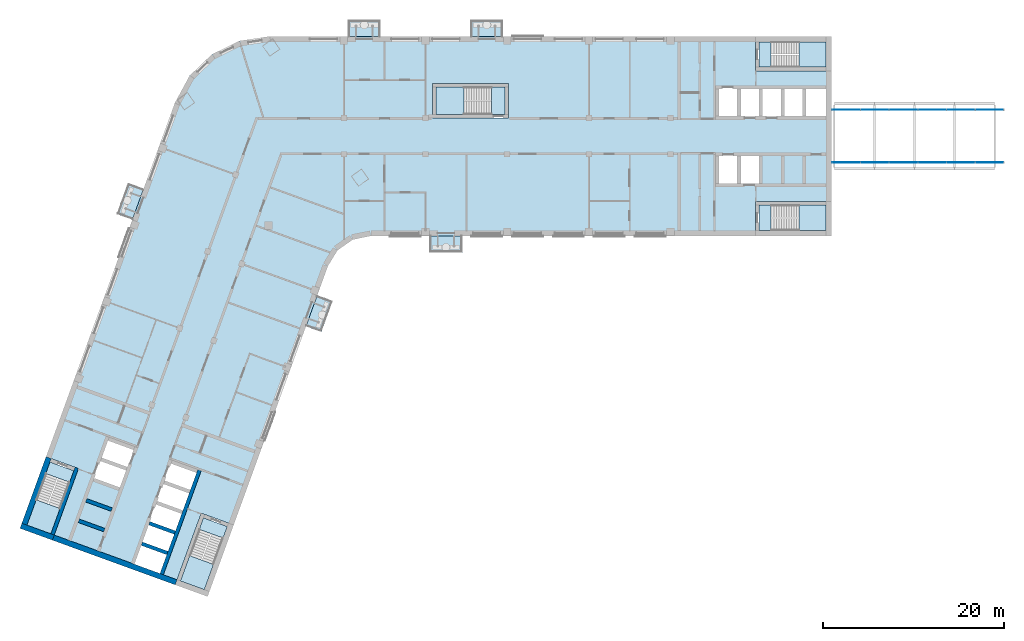
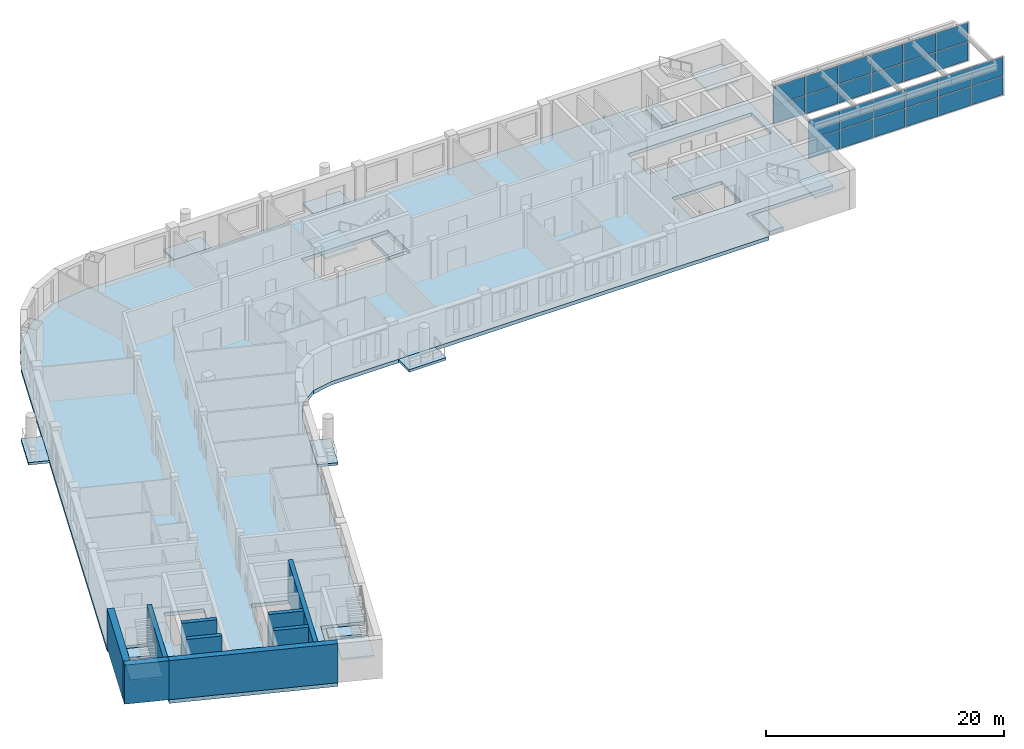
# One storey, part 3 of 12: 24 plates, 16 slabs, 9 walls, 7 elements without a shape of their own.
"""IFC4 building model written with IfcOpenShell, lengths in metres."""

from ifc_helpers import new_model, si_unit, direction, frame, frame_2d, origin, origin_2d, place, context, subcontext, project, spatial, polyline, rectangle, outline, extrude, material, layer, layer_set, type_object, element, aggregate, save


model = new_model("IFC4")

# Units and contexts
model_context = context("Model", 3, precision=1e-05, world=origin(), true_north=direction((0.0, 1.0)))
body_context = subcontext(model_context, "Body", "Model", "MODEL_VIEW")
ifc_project = project(units=[si_unit("LENGTHUNIT", "METRE"), si_unit("AREAUNIT", "SQUARE_METRE"), si_unit("VOLUMEUNIT", "CUBIC_METRE"), si_unit("PLANEANGLEUNIT", "RADIAN"), si_unit("MASSUNIT", "GRAM", prefix="KILO")], contexts=[model_context])

# Site, building, storey
site_placement = place(None, origin())
site = spatial("IfcSite", under=ifc_project, at=site_placement, CompositionType="ELEMENT")
building_placement = place(site_placement, origin())
building = spatial("IfcBuilding", under=site, at=building_placement, Name="Skarvind Civic Tower", CompositionType="ELEMENT")
storey_placement = place(building_placement, frame((0.0, 0.0, 117.0)))
storey = spatial("IfcBuildingStorey", under=building, at=storey_placement, Name="L27", CompositionType="ELEMENT", Elevation=117.0)

# Curtain wall, plates
ifc_material_1 = material(Name="Aluminium alloy 6063 and laminated glass", Category="aluminium")
curtain_wall_type = type_object("IfcCurtainWallType", Name="CW4 BRIDGE ENCLOSURE GLAZING", PredefinedType="NOTDEFINED", material=ifc_material_1)
curtain_wall_1_placement = place(storey_placement, origin())
curtain_wall_1 = element("IfcCurtainWall", 1, at=curtain_wall_1_placement, inside=storey, type_object=curtain_wall_type, Name="BRIDGE ENCLOSURE GLAZING", PredefinedType="NOTDEFINED")
ifc_material_2 = material(Name="Laminated low-iron glass", Category="glass")
ifc_layer_1 = layer(ifc_material_2, 0.028076171875)
ifc_layer_set_1 = layer_set([ifc_layer_1], Name="CW4 GLASS PANEL 28")
plate_type = type_object("IfcPlateType", Name="CW4 GLASS PANEL 28", PredefinedType="CURTAIN_PANEL", material=ifc_layer_set_1)
plate_1_placement = place(storey_placement, frame((125.401611328125, 125.090087890625, 0.06005859375), z_axis=(0.0, 0.0, 1.0), x_axis=(-1.0, 0.0, 0.0)))
plate_1 = element("IfcPlate", 2, at=plate_1_placement, type_object=plate_type, Name="CW4 panel 1.1", PredefinedType="CURTAIN_PANEL", context=body_context, shape_type="SweptSolid", body=[
    extrude(rectangle(XDim=3.07666015625, YDim=0.028076171875, at=origin_2d()), origin(), (0.0, 0.0, 1.0), 1.909912109375),
])
plate_2_placement = place(storey_placement, frame((125.401611328125, 125.090087890625, 2.0302734375), z_axis=(0.0, 0.0, 1.0), x_axis=(-1.0, 0.0, 0.0)))
plate_2 = element("IfcPlate", 3, at=plate_2_placement, type_object=plate_type, Name="CW4 panel 1.2", PredefinedType="CURTAIN_PANEL", context=body_context, shape_type="SweptSolid", body=[
    extrude(rectangle(XDim=3.07666015625, YDim=0.028076171875, at=origin_2d()), origin(), (0.0, 0.0, 1.0), 1.909912109375),
])
plate_3_placement = place(storey_placement, frame((122.25, 125.090087890625, 0.06005859375), z_axis=(0.0, 0.0, 1.0), x_axis=(-1.0, 0.0, 0.0)))
plate_3 = element("IfcPlate", 4, at=plate_3_placement, type_object=plate_type, Name="CW4 panel 2.1", PredefinedType="CURTAIN_PANEL", context=body_context, shape_type="SweptSolid", body=[
    extrude(rectangle(XDim=3.106689453125, YDim=0.028076171875, at=origin_2d()), origin(), (0.0, 0.0, 1.0), 1.909912109375),
])
plate_4_placement = place(storey_placement, frame((122.25, 125.090087890625, 2.0302734375), z_axis=(0.0, 0.0, 1.0), x_axis=(-1.0, 0.0, 0.0)))
plate_4 = element("IfcPlate", 5, at=plate_4_placement, type_object=plate_type, Name="CW4 panel 2.2", PredefinedType="CURTAIN_PANEL", context=body_context, shape_type="SweptSolid", body=[
    extrude(rectangle(XDim=3.106689453125, YDim=0.028076171875, at=origin_2d()), origin(), (0.0, 0.0, 1.0), 1.909912109375),
])
plate_5_placement = place(storey_placement, frame((119.083251953125, 125.090087890625, 0.06005859375), z_axis=(0.0, 0.0, 1.0), x_axis=(-1.0, 0.0, 0.0)))
plate_5 = element("IfcPlate", 6, at=plate_5_placement, type_object=plate_type, Name="CW4 panel 3.1", PredefinedType="CURTAIN_PANEL", context=body_context, shape_type="SweptSolid", body=[
    extrude(rectangle(XDim=3.106689453125, YDim=0.028076171875, at=origin_2d()), origin(), (0.0, 0.0, 1.0), 1.909912109375),
])
plate_6_placement = place(storey_placement, frame((119.083251953125, 125.090087890625, 2.0302734375), z_axis=(0.0, 0.0, 1.0), x_axis=(-1.0, 0.0, 0.0)))
plate_6 = element("IfcPlate", 7, at=plate_6_placement, type_object=plate_type, Name="CW4 panel 3.2", PredefinedType="CURTAIN_PANEL", context=body_context, shape_type="SweptSolid", body=[
    extrude(rectangle(XDim=3.106689453125, YDim=0.028076171875, at=origin_2d()), origin(), (0.0, 0.0, 1.0), 1.909912109375),
])
plate_7_placement = place(storey_placement, frame((115.916748046875, 125.090087890625, 0.06005859375), z_axis=(0.0, 0.0, 1.0), x_axis=(-1.0, 0.0, 0.0)))
plate_7 = element("IfcPlate", 8, at=plate_7_placement, type_object=plate_type, Name="CW4 panel 4.1", PredefinedType="CURTAIN_PANEL", context=body_context, shape_type="SweptSolid", body=[
    extrude(rectangle(XDim=3.106689453125, YDim=0.028076171875, at=origin_2d()), origin(), (0.0, 0.0, 1.0), 1.909912109375),
])
plate_8_placement = place(storey_placement, frame((115.916748046875, 125.090087890625, 2.0302734375), z_axis=(0.0, 0.0, 1.0), x_axis=(-1.0, 0.0, 0.0)))
plate_8 = element("IfcPlate", 9, at=plate_8_placement, type_object=plate_type, Name="CW4 panel 4.2", PredefinedType="CURTAIN_PANEL", context=body_context, shape_type="SweptSolid", body=[
    extrude(rectangle(XDim=3.106689453125, YDim=0.028076171875, at=origin_2d()), origin(), (0.0, 0.0, 1.0), 1.909912109375),
])
plate_9_placement = place(storey_placement, frame((112.75, 125.090087890625, 0.06005859375), z_axis=(0.0, 0.0, 1.0), x_axis=(-1.0, 0.0, 0.0)))
plate_9 = element("IfcPlate", 10, at=plate_9_placement, type_object=plate_type, Name="CW4 panel 5.1", PredefinedType="CURTAIN_PANEL", context=body_context, shape_type="SweptSolid", body=[
    extrude(rectangle(XDim=3.106689453125, YDim=0.028076171875, at=origin_2d()), origin(), (0.0, 0.0, 1.0), 1.909912109375),
])
plate_10_placement = place(storey_placement, frame((112.75, 125.090087890625, 2.0302734375), z_axis=(0.0, 0.0, 1.0), x_axis=(-1.0, 0.0, 0.0)))
plate_10 = element("IfcPlate", 11, at=plate_10_placement, type_object=plate_type, Name="CW4 panel 5.2", PredefinedType="CURTAIN_PANEL", context=body_context, shape_type="SweptSolid", body=[
    extrude(rectangle(XDim=3.106689453125, YDim=0.028076171875, at=origin_2d()), origin(), (0.0, 0.0, 1.0), 1.909912109375),
])
plate_11_placement = place(storey_placement, frame((109.598388671875, 125.090087890625, 0.06005859375), z_axis=(0.0, 0.0, 1.0), x_axis=(-1.0, 0.0, 0.0)))
plate_11 = element("IfcPlate", 12, at=plate_11_placement, type_object=plate_type, Name="CW4 panel 6.1", PredefinedType="CURTAIN_PANEL", context=body_context, shape_type="SweptSolid", body=[
    extrude(rectangle(XDim=3.07666015625, YDim=0.028076171875, at=origin_2d()), origin(), (0.0, 0.0, 1.0), 1.909912109375),
])
plate_12_placement = place(storey_placement, frame((109.598388671875, 125.090087890625, 2.0302734375), z_axis=(0.0, 0.0, 1.0), x_axis=(-1.0, 0.0, 0.0)))
plate_12 = element("IfcPlate", 13, at=plate_12_placement, type_object=plate_type, Name="CW4 panel 6.2", PredefinedType="CURTAIN_PANEL", context=body_context, shape_type="SweptSolid", body=[
    extrude(rectangle(XDim=3.07666015625, YDim=0.028076171875, at=origin_2d()), origin(), (0.0, 0.0, 1.0), 1.909912109375),
])
aggregate(curtain_wall_1, [plate_1, plate_2, plate_3, plate_4, plate_5, plate_6, plate_7, plate_8, plate_9, plate_10, plate_11, plate_12])

curtain_wall_2_placement = place(storey_placement, origin())
curtain_wall_2 = element("IfcCurtainWall", 14, at=curtain_wall_2_placement, inside=storey, type_object=curtain_wall_type, Name="BRIDGE ENCLOSURE GLAZING", PredefinedType="NOTDEFINED")
plate_13_placement = place(storey_placement, frame((109.598388671875, 130.909912109375, 0.06005859375), z_axis=(0.0, 0.0, 1.0), x_axis=(1.0, 0.0, 0.0)))
plate_13 = element("IfcPlate", 15, at=plate_13_placement, type_object=plate_type, Name="CW4 panel 1.1", PredefinedType="CURTAIN_PANEL", context=body_context, shape_type="SweptSolid", body=[
    extrude(rectangle(XDim=3.07666015625, YDim=0.028076171875, at=origin_2d()), origin(), (0.0, 0.0, 1.0), 1.909912109375),
])
plate_14_placement = place(storey_placement, frame((109.598388671875, 130.909912109375, 2.0302734375), z_axis=(0.0, 0.0, 1.0), x_axis=(1.0, 0.0, 0.0)))
plate_14 = element("IfcPlate", 16, at=plate_14_placement, type_object=plate_type, Name="CW4 panel 1.2", PredefinedType="CURTAIN_PANEL", context=body_context, shape_type="SweptSolid", body=[
    extrude(rectangle(XDim=3.07666015625, YDim=0.028076171875, at=origin_2d()), origin(), (0.0, 0.0, 1.0), 1.909912109375),
])
plate_15_placement = place(storey_placement, frame((112.75, 130.909912109375, 0.06005859375), z_axis=(0.0, 0.0, 1.0), x_axis=(1.0, 0.0, 0.0)))
plate_15 = element("IfcPlate", 17, at=plate_15_placement, type_object=plate_type, Name="CW4 panel 2.1", PredefinedType="CURTAIN_PANEL", context=body_context, shape_type="SweptSolid", body=[
    extrude(rectangle(XDim=3.106689453125, YDim=0.028076171875, at=origin_2d()), origin(), (0.0, 0.0, 1.0), 1.909912109375),
])
plate_16_placement = place(storey_placement, frame((112.75, 130.909912109375, 2.0302734375), z_axis=(0.0, 0.0, 1.0), x_axis=(1.0, 0.0, 0.0)))
plate_16 = element("IfcPlate", 18, at=plate_16_placement, type_object=plate_type, Name="CW4 panel 2.2", PredefinedType="CURTAIN_PANEL", context=body_context, shape_type="SweptSolid", body=[
    extrude(rectangle(XDim=3.106689453125, YDim=0.028076171875, at=origin_2d()), origin(), (0.0, 0.0, 1.0), 1.909912109375),
])
plate_17_placement = place(storey_placement, frame((115.916748046875, 130.909912109375, 0.06005859375), z_axis=(0.0, 0.0, 1.0), x_axis=(1.0, 0.0, 0.0)))
plate_17 = element("IfcPlate", 19, at=plate_17_placement, type_object=plate_type, Name="CW4 panel 3.1", PredefinedType="CURTAIN_PANEL", context=body_context, shape_type="SweptSolid", body=[
    extrude(rectangle(XDim=3.106689453125, YDim=0.028076171875, at=origin_2d()), origin(), (0.0, 0.0, 1.0), 1.909912109375),
])
plate_18_placement = place(storey_placement, frame((115.916748046875, 130.909912109375, 2.0302734375), z_axis=(0.0, 0.0, 1.0), x_axis=(1.0, 0.0, 0.0)))
plate_18 = element("IfcPlate", 20, at=plate_18_placement, type_object=plate_type, Name="CW4 panel 3.2", PredefinedType="CURTAIN_PANEL", context=body_context, shape_type="SweptSolid", body=[
    extrude(rectangle(XDim=3.106689453125, YDim=0.028076171875, at=origin_2d()), origin(), (0.0, 0.0, 1.0), 1.909912109375),
])
plate_19_placement = place(storey_placement, frame((119.083251953125, 130.909912109375, 0.06005859375), z_axis=(0.0, 0.0, 1.0), x_axis=(1.0, 0.0, 0.0)))
plate_19 = element("IfcPlate", 21, at=plate_19_placement, type_object=plate_type, Name="CW4 panel 4.1", PredefinedType="CURTAIN_PANEL", context=body_context, shape_type="SweptSolid", body=[
    extrude(rectangle(XDim=3.106689453125, YDim=0.028076171875, at=origin_2d()), origin(), (0.0, 0.0, 1.0), 1.909912109375),
])
plate_20_placement = place(storey_placement, frame((119.083251953125, 130.909912109375, 2.0302734375), z_axis=(0.0, 0.0, 1.0), x_axis=(1.0, 0.0, 0.0)))
plate_20 = element("IfcPlate", 22, at=plate_20_placement, type_object=plate_type, Name="CW4 panel 4.2", PredefinedType="CURTAIN_PANEL", context=body_context, shape_type="SweptSolid", body=[
    extrude(rectangle(XDim=3.106689453125, YDim=0.028076171875, at=origin_2d()), origin(), (0.0, 0.0, 1.0), 1.909912109375),
])
plate_21_placement = place(storey_placement, frame((122.25, 130.909912109375, 0.06005859375), z_axis=(0.0, 0.0, 1.0), x_axis=(1.0, 0.0, 0.0)))
plate_21 = element("IfcPlate", 23, at=plate_21_placement, type_object=plate_type, Name="CW4 panel 5.1", PredefinedType="CURTAIN_PANEL", context=body_context, shape_type="SweptSolid", body=[
    extrude(rectangle(XDim=3.106689453125, YDim=0.028076171875, at=origin_2d()), origin(), (0.0, 0.0, 1.0), 1.909912109375),
])
plate_22_placement = place(storey_placement, frame((122.25, 130.909912109375, 2.0302734375), z_axis=(0.0, 0.0, 1.0), x_axis=(1.0, 0.0, 0.0)))
plate_22 = element("IfcPlate", 24, at=plate_22_placement, type_object=plate_type, Name="CW4 panel 5.2", PredefinedType="CURTAIN_PANEL", context=body_context, shape_type="SweptSolid", body=[
    extrude(rectangle(XDim=3.106689453125, YDim=0.028076171875, at=origin_2d()), origin(), (0.0, 0.0, 1.0), 1.909912109375),
])
plate_23_placement = place(storey_placement, frame((125.401611328125, 130.909912109375, 0.06005859375), z_axis=(0.0, 0.0, 1.0), x_axis=(1.0, 0.0, 0.0)))
plate_23 = element("IfcPlate", 25, at=plate_23_placement, type_object=plate_type, Name="CW4 panel 6.1", PredefinedType="CURTAIN_PANEL", context=body_context, shape_type="SweptSolid", body=[
    extrude(rectangle(XDim=3.07666015625, YDim=0.028076171875, at=origin_2d()), origin(), (0.0, 0.0, 1.0), 1.909912109375),
])
plate_24_placement = place(storey_placement, frame((125.401611328125, 130.909912109375, 2.0302734375), z_axis=(0.0, 0.0, 1.0), x_axis=(1.0, 0.0, 0.0)))
plate_24 = element("IfcPlate", 26, at=plate_24_placement, type_object=plate_type, Name="CW4 panel 6.2", PredefinedType="CURTAIN_PANEL", context=body_context, shape_type="SweptSolid", body=[
    extrude(rectangle(XDim=3.07666015625, YDim=0.028076171875, at=origin_2d()), origin(), (0.0, 0.0, 1.0), 1.909912109375),
])
aggregate(curtain_wall_2, [plate_13, plate_14, plate_15, plate_16, plate_17, plate_18, plate_19, plate_20, plate_21, plate_22, plate_23, plate_24])

# Slabs
ifc_material_3 = material(Name="Concrete C50", Category="concrete")
ifc_layer_2 = layer(ifc_material_3, 0.375)
ifc_layer_set_2 = layer_set([ifc_layer_2], Name="Floor slab 375 C50")
slab_type_1 = type_object("IfcSlabType", Name="Floor slab 375 C50", PredefinedType="FLOOR", material=ifc_layer_set_2)
slab_1_placement = place(storey_placement, frame((0.0, 0.0, -0.375)))
element("IfcSlab", 27, at=slab_1_placement, inside=storey, type_object=slab_type_1, Name="Floor slab L27 1", PredefinedType="FLOOR", context=body_context, shape_type="SweptSolid", body=[
    extrude(outline(polyline([(99.60009765625, 117.0), (99.60009765625, 120.800048828125), (108.0, 120.800048828125), (108.0, 135.199951171875), (99.60009765625, 135.199951171875), (99.60009765625, 139.0), (46.095458984375, 139.0), (42.739501953125, 138.5009765625), (39.6943359375, 137.005615234375), (37.24755859375, 134.6552734375), (35.630615234375, 131.672607421875), (19.41748046875, 87.126708984375), (21.435302734375, 92.6708984375), (25.006103515625, 91.371337890625), (22.13330078125, 83.477783203125), (36.886474609375, 78.108154296875), (35.664794921875, 78.552734375), (38.53759765625, 86.4462890625), (42.108642578125, 85.146484375), (40.0908203125, 79.602294921875), (40.0908203125, 79.602294921875), (52.493896484375, 113.68017578125), (53.560791015625, 115.421630859375), (55.23388671875, 116.593017578125), (57.235107421875, 117.0), (99.60009765625, 117.0)]), holes=[polyline([(32.625244140625, 85.40576171875), (33.446044921875, 87.660888671875), (34.26708984375, 89.916259765625), (35.087890625, 92.17138671875), (38.28271484375, 91.008544921875), (37.4619140625, 88.75341796875), (36.64111328125, 86.498046875), (35.8203125, 84.242919921875), (35.8203125, 84.242919921875), (34.99951171875, 81.987548828125), (34.178466796875, 79.732421875), (30.983642578125, 80.89501953125), (31.804443359375, 83.150390625), (32.625244140625, 85.40576171875), (32.625244140625, 85.40576171875)]), polyline([(31.3291015625, 93.53955078125), (30.50830078125, 91.2841796875), (29.6875, 89.029052734375), (26.492431640625, 90.19189453125), (27.313232421875, 92.447021484375), (28.134033203125, 94.702392578125), (31.3291015625, 93.53955078125)]), polyline([(64.0, 130.0), (64.0, 133.800048828125), (72.39990234375, 133.800048828125), (72.39990234375, 130.0), (64.0, 130.0)]), polyline([(100.199951171875, 126.0), (100.199951171875, 122.60009765625), (97.800048828125, 122.60009765625), (95.39990234375, 122.60009765625), (95.39990234375, 126.0), (97.800048828125, 126.0), (100.199951171875, 126.0)]), polyline([(100.199951171875, 133.39990234375), (102.60009765625, 133.39990234375), (105.0, 133.39990234375), (107.39990234375, 133.39990234375), (107.39990234375, 130.0), (105.0, 130.0), (102.60009765625, 130.0), (100.199951171875, 130.0), (97.800048828125, 130.0), (95.39990234375, 130.0), (95.39990234375, 133.39990234375), (97.800048828125, 133.39990234375), (100.199951171875, 133.39990234375)])]), origin(), (0.0, 0.0, 1.0), 0.375),
])
ifc_material_4 = material(Name="Precast concrete C40/50", Category="concrete")
ifc_layer_3 = layer(ifc_material_4, 0.25)
ifc_layer_set_3 = layer_set([ifc_layer_3], Name="SX3 BALCONY SLAB 250")
slab_type_2 = type_object("IfcSlabType", Name="SX3 BALCONY SLAB 250", PredefinedType="FLOOR", material=ifc_layer_set_3)
slab_2_placement = place(storey_placement, frame((0.0, 0.0, -0.25)))
element("IfcSlab", 28, at=slab_2_placement, inside=storey, type_object=slab_type_2, Name="TREE BALCONY SLAB", PredefinedType="FLOOR", context=body_context, shape_type="SweptSolid", body=[
    extrude(outline(polyline([(51.308837890625, 110.42431640625), (50.07763671875, 107.04150390625), (51.76904296875, 106.42578125), (53.00048828125, 109.80859375), (51.308837890625, 110.42431640625)])), origin(), (0.0, 0.0, 1.0), 0.25),
])
slab_3_placement = place(storey_placement, frame((0.0, 0.0, -0.25)))
element("IfcSlab", 29, at=slab_3_placement, inside=storey, type_object=slab_type_2, Name="TREE BALCONY SLAB", PredefinedType="FLOOR", context=body_context, shape_type="SweptSolid", body=[
    extrude(outline(polyline([(67.300048828125, 117.0), (63.699951171875, 117.0), (63.699951171875, 115.199951171875), (67.300048828125, 115.199951171875), (67.300048828125, 117.0)])), origin(), (0.0, 0.0, 1.0), 0.25),
])
slab_4_placement = place(storey_placement, frame((0.0, 0.0, -0.25)))
element("IfcSlab", 30, at=slab_4_placement, inside=storey, type_object=slab_type_2, Name="TREE BALCONY SLAB", PredefinedType="FLOOR", context=body_context, shape_type="SweptSolid", body=[
    extrude(outline(polyline([(54.699951171875, 139.0), (58.300048828125, 139.0), (58.300048828125, 140.800048828125), (54.699951171875, 140.800048828125), (54.699951171875, 139.0)])), origin(), (0.0, 0.0, 1.0), 0.25),
])
slab_5_placement = place(storey_placement, frame((0.0, 0.0, -0.25)))
element("IfcSlab", 31, at=slab_5_placement, inside=storey, type_object=slab_type_2, Name="TREE BALCONY SLAB", PredefinedType="FLOOR", context=body_context, shape_type="SweptSolid", body=[
    extrude(outline(polyline([(68.199951171875, 139.0), (71.800048828125, 139.0), (71.800048828125, 140.800048828125), (68.199951171875, 140.800048828125), (68.199951171875, 139.0)])), origin(), (0.0, 0.0, 1.0), 0.25),
])
slab_6_placement = place(storey_placement, frame((0.0, 0.0, -0.25)))
element("IfcSlab", 32, at=slab_6_placement, inside=storey, type_object=slab_type_2, Name="TREE BALCONY SLAB", PredefinedType="FLOOR", context=body_context, shape_type="SweptSolid", body=[
    extrude(outline(polyline([(30.943603515625, 118.79443359375), (32.1748046875, 122.177490234375), (30.4833984375, 122.79296875), (29.252197265625, 119.41015625), (30.943603515625, 118.79443359375)])), origin(), (0.0, 0.0, 1.0), 0.25),
])
ifc_material_5 = material(Name="Concrete C40/50", Category="concrete")
ifc_layer_4 = layer(ifc_material_5, 0.375)
ifc_layer_set_4 = layer_set([ifc_layer_4], Name="Stair floor landing slab 375")
slab_type_3 = type_object("IfcSlabType", Name="Stair floor landing slab 375", PredefinedType="LANDING", material=ifc_layer_set_4)
slab_7_placement = place(storey_placement, frame((0.0, 0.0, -0.375)))
element("IfcSlab", 33, at=slab_7_placement, inside=storey, type_object=slab_type_3, Name="Stair floor landing", PredefinedType="LANDING", context=body_context, shape_type="SweptSolid", body=[
    extrude(outline(polyline([(101.3505859375, 138.400634765625), (101.3505859375, 135.599365234375), (99.99951171875, 135.599365234375), (99.99951171875, 138.400634765625), (101.3505859375, 138.400634765625)])), origin(), (0.0, 0.0, 1.0), 0.375),
])
slab_8_placement = place(storey_placement, frame((0.0, 0.0, -0.375)))
element("IfcSlab", 34, at=slab_8_placement, inside=storey, type_object=slab_type_3, Name="Stair floor landing", PredefinedType="LANDING", context=body_context, shape_type="SweptSolid", body=[
    extrude(outline(polyline([(101.3505859375, 120.400634765625), (101.3505859375, 117.599365234375), (99.99951171875, 117.599365234375), (99.99951171875, 120.400634765625), (101.3505859375, 120.400634765625)])), origin(), (0.0, 0.0, 1.0), 0.375),
])
slab_9_placement = place(storey_placement, frame((0.0, 0.0, -0.375)))
element("IfcSlab", 35, at=slab_9_placement, inside=storey, type_object=slab_type_3, Name="Stair floor landing", PredefinedType="LANDING", context=body_context, shape_type="SweptSolid", body=[
    extrude(outline(polyline([(40.946533203125, 83.70654296875), (38.314208984375, 84.66455078125), (38.7763671875, 85.934326171875), (41.40869140625, 84.976318359375), (40.946533203125, 83.70654296875)])), origin(), (0.0, 0.0, 1.0), 0.375),
])
slab_10_placement = place(storey_placement, frame((0.0, 0.0, -0.375)))
element("IfcSlab", 36, at=slab_10_placement, inside=storey, type_object=slab_type_3, Name="Stair floor landing", PredefinedType="LANDING", context=body_context, shape_type="SweptSolid", body=[
    extrude(outline(polyline([(24.0322265625, 89.863037109375), (21.39990234375, 90.821044921875), (21.862060546875, 92.090576171875), (24.494384765625, 91.132568359375), (24.0322265625, 89.863037109375)])), origin(), (0.0, 0.0, 1.0), 0.375),
])
slab_11_placement = place(storey_placement, frame((0.0, 0.0, -0.375)))
element("IfcSlab", 37, at=slab_11_placement, inside=storey, type_object=slab_type_3, Name="Stair floor landing", PredefinedType="LANDING", context=body_context, shape_type="SweptSolid", body=[
    extrude(outline(polyline([(70.54931640625, 130.3994140625), (70.54931640625, 133.400634765625), (72.00048828125, 133.400634765625), (72.00048828125, 130.3994140625), (70.54931640625, 130.3994140625)])), origin(), (0.0, 0.0, 1.0), 0.375),
])

# Stair, slab
stair_type_1 = type_object("IfcStairType", Name="Exit stair, half-turn, concrete", PredefinedType="HALF_TURN_STAIR", material=ifc_material_5)
stair_1_placement = place(storey_placement, origin())
stair_1 = element("IfcStair", 38, at=stair_1_placement, inside=storey, type_object=stair_type_1, Name="Exit stair C1S", PredefinedType="HALF_TURN_STAIR")
ifc_layer_5 = layer(ifc_material_5, 0.199951171875)
ifc_layer_set_5 = layer_set([ifc_layer_5], Name="Stair half landing slab")
slab_type_4 = type_object("IfcSlabType", Name="Stair half landing slab", PredefinedType="LANDING", material=ifc_layer_set_5)
slab_12_placement = place(storey_placement, frame((0.0, 0.0, 1.800048828125)))
slab_12 = element("IfcSlab", 39, at=slab_12_placement, type_object=slab_type_4, Name="ST-C1S landing 1", PredefinedType="LANDING", context=body_context, shape_type="SweptSolid", body=[
    extrude(outline(polyline([(104.429443359375, 135.599365234375), (104.429443359375, 138.400634765625), (107.400634765625, 138.400634765625), (107.400634765625, 135.599365234375), (104.429443359375, 135.599365234375)])), origin(), (0.0, 0.0, 1.0), 0.199951171875),
])
aggregate(stair_1, [slab_12])

stair_2_placement = place(storey_placement, origin())
stair_2 = element("IfcStair", 40, at=stair_2_placement, inside=storey, type_object=stair_type_1, Name="Exit stair C1N", PredefinedType="HALF_TURN_STAIR")
slab_13_placement = place(storey_placement, frame((0.0, 0.0, 1.800048828125)))
slab_13 = element("IfcSlab", 41, at=slab_13_placement, type_object=slab_type_4, Name="ST-C1N landing 1", PredefinedType="LANDING", context=body_context, shape_type="SweptSolid", body=[
    extrude(outline(polyline([(104.429443359375, 117.599365234375), (104.429443359375, 120.400634765625), (107.400634765625, 120.400634765625), (107.400634765625, 117.599365234375), (104.429443359375, 117.599365234375)])), origin(), (0.0, 0.0, 1.0), 0.199951171875),
])
aggregate(stair_2, [slab_13])

stair_3_placement = place(storey_placement, origin())
stair_3 = element("IfcStair", 42, at=stair_3_placement, inside=storey, type_object=stair_type_1, Name="Exit stair C2S", PredefinedType="HALF_TURN_STAIR")
slab_14_placement = place(storey_placement, frame((0.0, 0.0, 1.800048828125)))
slab_14 = element("IfcSlab", 43, at=slab_14_placement, type_object=slab_type_4, Name="ST-C2S landing 1", PredefinedType="LANDING", context=body_context, shape_type="SweptSolid", body=[
    extrude(outline(polyline([(37.26123046875, 81.771484375), (39.8935546875, 80.8134765625), (38.87744140625, 78.021484375), (36.2451171875, 78.9794921875), (37.26123046875, 81.771484375)])), origin(), (0.0, 0.0, 1.0), 0.199951171875),
])
aggregate(stair_3, [slab_14])

stair_4_placement = place(storey_placement, origin())
stair_4 = element("IfcStair", 44, at=stair_4_placement, inside=storey, type_object=stair_type_1, Name="Exit stair C2N", PredefinedType="HALF_TURN_STAIR")
slab_15_placement = place(storey_placement, frame((0.0, 0.0, 1.800048828125)))
slab_15 = element("IfcSlab", 45, at=slab_15_placement, type_object=slab_type_4, Name="ST-C2N landing 1", PredefinedType="LANDING", context=body_context, shape_type="SweptSolid", body=[
    extrude(outline(polyline([(20.346923828125, 87.927734375), (22.97900390625, 86.9697265625), (21.962890625, 84.177734375), (19.33056640625, 85.1357421875), (20.346923828125, 87.927734375)])), origin(), (0.0, 0.0, 1.0), 0.199951171875),
])
aggregate(stair_4, [slab_15])

stair_type_2 = type_object("IfcStairType", Name="Exit stair 1450, half-turn, concrete", PredefinedType="HALF_TURN_STAIR", material=ifc_material_5)
stair_5_placement = place(storey_placement, origin())
stair_5 = element("IfcStair", 46, at=stair_5_placement, inside=storey, type_object=stair_type_2, Name="Exit stair CM", PredefinedType="HALF_TURN_STAIR")
slab_16_placement = place(storey_placement, frame((0.0, 0.0, 1.800048828125)))
slab_16 = element("IfcSlab", 47, at=slab_16_placement, type_object=slab_type_4, Name="ST-CM landing 1", PredefinedType="LANDING", context=body_context, shape_type="SweptSolid", body=[
    extrude(outline(polyline([(67.470703125, 133.400634765625), (67.470703125, 130.3994140625), (64.3994140625, 130.3994140625), (64.3994140625, 133.400634765625), (67.470703125, 133.400634765625)])), origin(), (0.0, 0.0, 1.0), 0.199951171875),
])
aggregate(stair_5, [slab_16])

# Walls
ifc_material_6 = material(Name="Concrete C80", Category="concrete")
ifc_layer_6 = layer(ifc_material_6, 0.39990234375)
ifc_layer_set_6 = layer_set([ifc_layer_6], Name="Core wall 400 C80")
wall_type_1 = type_object("IfcWallType", Name="Core wall 400 C80", PredefinedType="SHEAR", material=ifc_layer_set_6)
wall_1_placement = place(storey_placement, frame((22.150390625, 84.110107421875, 0.0), z_axis=(0.0, 0.0, 1.0), x_axis=(0.342016982193, 0.939693771338, 0.0)))
element("IfcWall", 48, at=wall_1_placement, inside=storey, type_object=wall_type_1, Name="Core wall C2 north stair inner L27", PredefinedType="SHEAR", context=body_context, shape_type="SweptSolid", body=[
    extrude(rectangle(XDim=7.800048828125, YDim=0.39990234375, at=frame_2d((3.89990234375, 0.0))), origin(), (0.0, 0.0, 1.0), 4.0),
])
wall_2_placement = place(storey_placement, frame((34.178466796875, 79.732177734375, 0.0), z_axis=(0.0, 0.0, 1.0), x_axis=(0.342014590177, 0.939694641948, 0.0)))
element("IfcWall", 49, at=wall_2_placement, inside=storey, type_object=wall_type_1, Name="Core wall C2 south lift row back L27", PredefinedType="SHEAR", context=body_context, shape_type="SweptSolid", body=[
    extrude(rectangle(XDim=12.2001953125, YDim=0.39990234375, at=frame_2d((6.10009765625, 0.0))), origin(), (0.0, 0.0, 1.0), 4.0),
])
for number, where, z_axis, x_axis, name in (
    (50, (34.8115234375, 82.055908203125, 0.0), (0.0, 0.0, 1.0), (-0.939686455819, 0.342037080957, 0.0), "Core wall C2 south lift row division 1 L27"),
    (51, (35.63232421875, 84.311279296875, 0.0), (0.0, 0.0, 1.0), (-0.939712609717, 0.341965219194, 0.0), "Core wall C2 south lift row division 2 L27"),
    (52, (27.857666015625, 84.5869140625, 0.0), (0.0, 0.0, 1.0), (-0.939686455819, 0.342037080957, 0.0), "Core wall C2 north lift row division 1 L27"),
):
    element("IfcWall", number, at=place(storey_placement, frame(where, z_axis=z_axis, x_axis=x_axis)), inside=storey, type_object=wall_type_1, Name=name, PredefinedType="SHEAR", context=body_context, shape_type="SweptSolid", body=[
        extrude(rectangle(XDim=3.0, YDim=0.39990234375, at=frame_2d((1.5, 0.0))), origin(), (0.0, 0.0, 1.0), 4.0),
    ])
wall_3_placement = place(storey_placement, frame((28.678466796875, 86.842041015625, 0.0), z_axis=(0.0, 0.0, 1.0), x_axis=(-0.939676934218, 0.342063238742, 0.0)))
element("IfcWall", 53, at=wall_3_placement, inside=storey, type_object=wall_type_1, Name="Core wall C2 north lift row division 2 L27", PredefinedType="SHEAR", context=body_context, shape_type="SweptSolid", body=[
    extrude(rectangle(XDim=2.999755859375, YDim=0.39990234375, at=frame_2d((1.5, 0.0))), origin(), (0.0, 0.0, 1.0), 4.0),
])
ifc_layer_7 = layer(ifc_material_6, 0.60009765625)
ifc_layer_set_7 = layer_set([ifc_layer_7], Name="Core wall 600 C80")
wall_type_2 = type_object("IfcWallType", Name="Core wall 600 C80", PredefinedType="SHEAR", material=ifc_layer_set_7)
wall_4_placement = place(storey_placement, frame((35.767333984375, 78.834716796875, 0.0), z_axis=(0.0, 0.0, 1.0), x_axis=(-0.939692894512, 0.342019391267, 0.0)))
element("IfcWall", 54, at=wall_4_placement, inside=storey, type_object=wall_type_2, Name="Core wall C2 tip between the stairs L27", PredefinedType="SHEAR", context=body_context, shape_type="SweptSolid", body=[
    extrude(rectangle(XDim=14.39990234375, YDim=0.60009765625, at=frame_2d((7.199951171875, 0.0))), origin(), (0.0, 0.0, 1.0), 4.0),
])
wall_5_placement = place(storey_placement, frame((22.23583984375, 83.759765625, 0.0), z_axis=(0.0, 0.0, 1.0), x_axis=(-0.939680822529, 0.342052557032, 0.0)))
element("IfcWall", 55, at=wall_5_placement, inside=storey, type_object=wall_type_2, Name="Core wall C2 tip at the north stair L27", PredefinedType="SHEAR", context=body_context, shape_type="SweptSolid", body=[
    extrude(rectangle(XDim=3.800048828125, YDim=0.60009765625, at=frame_2d((1.89990234375, 0.0))), origin(), (0.0, 0.0, 1.0), 4.0),
])
wall_6_placement = place(storey_placement, frame((19.049560546875, 85.23876953125, 0.0), z_axis=(0.0, 0.0, 1.0), x_axis=(0.342016982193, 0.939693771338, 0.0)))
element("IfcWall", 56, at=wall_6_placement, inside=storey, type_object=wall_type_2, Name="Core wall C2 north side at the stair L27", PredefinedType="SHEAR", context=body_context, shape_type="SweptSolid", body=[
    extrude(rectangle(XDim=7.800048828125, YDim=0.60009765625, at=frame_2d((3.89990234375, 0.0))), origin(), (0.0, 0.0, 1.0), 4.0),
])

save(model, "model.ifc")
